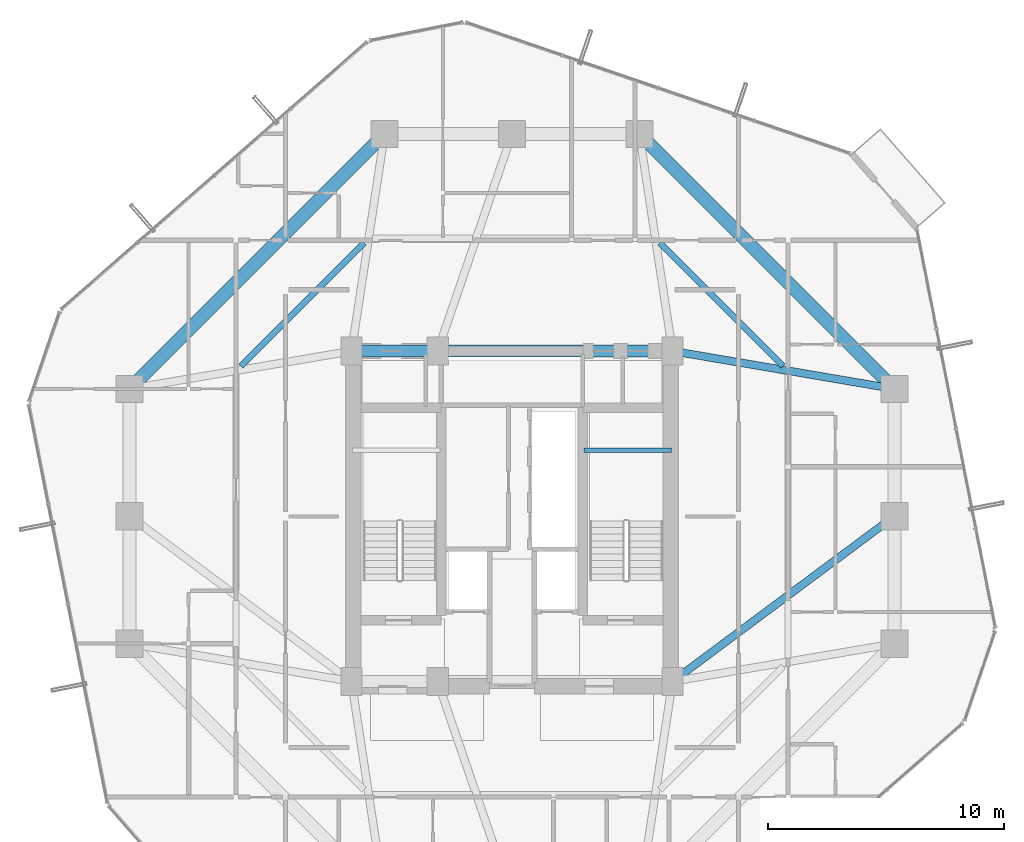
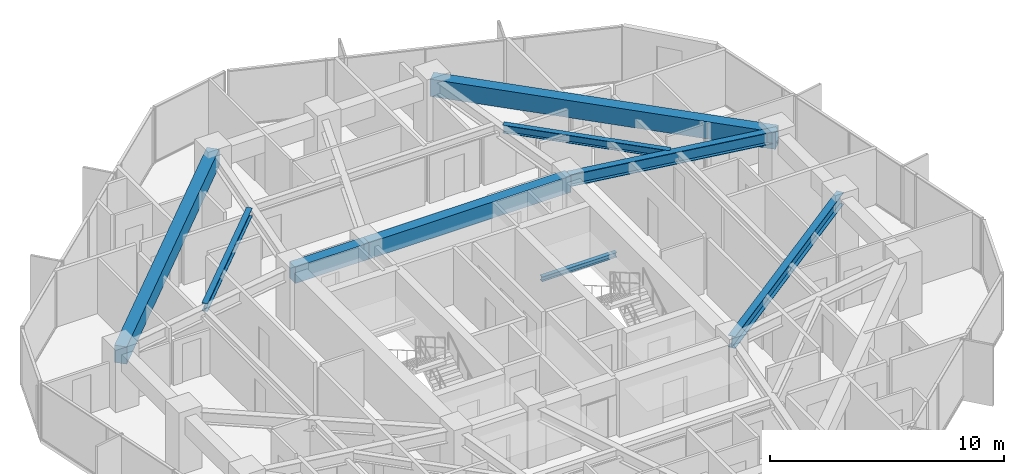
# One storey, part 14 of 36: 9 beams.
"""IFC4 building model written with IfcOpenShell, lengths in metres."""

from ifc_helpers import new_model, si_unit, direction, frame, origin, origin_2d, place, context, subcontext, project, spatial, rectangle, i_section, extrude, material, material_profile, profile_set, type_object, element, save


model = new_model("IFC4")

# Units and contexts
model_context = context("Model", 3, precision=1e-05, world=origin(), true_north=direction((0.0, 1.0)))
body_context = subcontext(model_context, "Body", "Model", "MODEL_VIEW")
ifc_project = project(units=[si_unit("LENGTHUNIT", "METRE"), si_unit("AREAUNIT", "SQUARE_METRE"), si_unit("VOLUMEUNIT", "CUBIC_METRE"), si_unit("PLANEANGLEUNIT", "RADIAN"), si_unit("MASSUNIT", "GRAM", prefix="KILO")], contexts=[model_context])

# Site, building, storey
site_placement = place(None, origin())
site = spatial("IfcSite", under=ifc_project, at=site_placement, CompositionType="ELEMENT")
building_placement = place(site_placement, origin())
building = spatial("IfcBuilding", under=site, at=building_placement, Name="Veraguas Prism Commons", CompositionType="ELEMENT")
storey_placement = place(building_placement, frame((0.0, 0.0, 166.300048828125)))
storey = spatial("IfcBuildingStorey", under=building, at=storey_placement, Name="L47", CompositionType="ELEMENT", Elevation=166.300048828125)

# Beams
ifc_material_1 = material(Name="Concrete C50/60", Category="concrete")
ifc_material_profile_1 = material_profile(ifc_material_1, rectangle(XDim=0.5, YDim=0.85009765625, at=origin_2d()), Name="RC500X850")
ifc_profile_set_1 = profile_set([ifc_material_profile_1], Name="Concrete C50/60")
beam_type_1 = type_object("IfcBeamType", Name="Core Coupling Beam RC 500x850", PredefinedType="BEAM", material=ifc_profile_set_1)
beam_1_placement = place(storey_placement, frame((17.199951171875, 31.0, 2.5048828125), z_axis=(1.0, 0.0, 0.0), x_axis=(0.0, 1.0, 0.0)))
element("IfcBeam", 1, at=beam_1_placement, inside=storey, type_object=beam_type_1, Name="Core Coupling Beam L47-CRN1", PredefinedType="BEAM", context=body_context, shape_type="SweptSolid", body=[
    extrude(rectangle(XDim=0.5, YDim=0.85009765625, at=origin_2d()), origin(), (0.0, 0.0, 1.0), 3.650146484375),
])
beam_2_placement = place(storey_placement, frame((20.85009765625, 31.0, 2.5048828125), z_axis=(1.0, 0.0, 0.0), x_axis=(0.0, 1.0, 0.0)))
element("IfcBeam", 2, at=beam_2_placement, inside=storey, type_object=beam_type_1, Name="Core Coupling Beam L47-CRN2", PredefinedType="BEAM", context=body_context, shape_type="SweptSolid", body=[
    extrude(rectangle(XDim=0.5, YDim=0.85009765625, at=origin_2d()), origin(), (0.0, 0.0, 1.0), 9.949951171875),
])
ifc_material_2 = material(Name="Steel ASTM A992 Grade 50", Category="steel")
ifc_material_profile_2 = material_profile(ifc_material_2, i_section(OverallWidth=0.260986328125, OverallDepth=0.419921875, WebThickness=0.01171875, FlangeThickness=0.019287109375, at=origin_2d()), Name="W410X114")
ifc_profile_set_2 = profile_set([ifc_material_profile_2], Name="Steel ASTM A992 Grade 50")
beam_type_2 = type_object("IfcBeamType", Name="Lower Floor Joist W410x114", PredefinedType="JOIST", material=ifc_profile_set_2)
for number, where, z_axis, x_axis, name in (
    (3, (35.489990234375, 30.365966796875, 2.719970703125), (-0.707090260193, 0.707123301794, 0.0), (-0.707123301794, -0.707090260193, 0.0), "Composite Floor Joist L47-JS03"),
    (4, (17.734619140625, 35.5908203125, 2.719970703125), (-0.707090260193, -0.707123301794, 0.0), (0.707123301794, -0.707090260193, 0.0), "Composite Floor Joist L47-JS06"),
):
    element("IfcBeam", number, at=place(storey_placement, frame(where, z_axis=z_axis, x_axis=x_axis)), inside=storey, type_object=beam_type_2, Name=name, PredefinedType="JOIST", context=body_context, shape_type="SweptSolid", body=[
        extrude(i_section(OverallWidth=0.260986328125, OverallDepth=0.419921875, WebThickness=0.01171875, FlangeThickness=0.019287109375, at=origin_2d()), origin(), (0.0, 0.0, 1.0), 7.388916015625),
    ])
ifc_material_profile_3 = material_profile(ifc_material_1, rectangle(XDim=0.550048828125, YDim=0.89990234375, at=origin_2d()), Name="RC550X900")
ifc_profile_set_3 = profile_set([ifc_material_profile_3], Name="Concrete C50/60")
beam_type_3 = type_object("IfcBeamType", Name="Perimeter Spandrel Lower RC 550x900", PredefinedType="SPANDREL", material=ifc_profile_set_3)
for number, where, z_axis, x_axis, name in (
    (5, (40.199951171875, 29.39990234375, 2.47998046875), (-0.707106781187, 0.707106781187, 0.0), (-0.707106781187, -0.707106781187, 0.0), "Perimeter Spandrel Beam L47-SP03"),
    (6, (18.60009765625, 40.199951171875, 2.47998046875), (-0.707106781187, -0.707106781187, 0.0), (0.707106781187, -0.707106781187, 0.0), "Perimeter Spandrel Beam L47-SP06"),
):
    element("IfcBeam", number, at=place(storey_placement, frame(where, z_axis=z_axis, x_axis=x_axis)), inside=storey, type_object=beam_type_3, Name=name, PredefinedType="SPANDREL", context=body_context, shape_type="SweptSolid", body=[
        extrude(rectangle(XDim=0.550048828125, YDim=0.89990234375, at=origin_2d()), origin(), (0.0, 0.0, 1.0), 15.273681640625),
    ])
ifc_material_profile_4 = material_profile(ifc_material_2, i_section(OverallWidth=0.202880859375, OverallDepth=0.251953125, WebThickness=0.008056640625, FlangeThickness=0.013427734375, at=origin_2d()), Name="W250X58")
ifc_profile_set_4 = profile_set([ifc_material_profile_4], Name="Steel ASTM A992 Grade 50")
beam_type_4 = type_object("IfcBeamType", Name="Structural Opening Lintel W250x58", PredefinedType="LINTEL", material=ifc_profile_set_4)
beam_3_placement = place(storey_placement, frame((27.050048828125, 26.800048828125, 1.299072265625), z_axis=(1.0, 0.0, 0.0), x_axis=(0.0, 1.0, 0.0)))
element("IfcBeam", 7, at=beam_3_placement, inside=storey, type_object=beam_type_4, Name="Stair ST-02 Half-Landing Support Beam L47-1", PredefinedType="LINTEL", context=body_context, shape_type="SweptSolid", body=[
    extrude(i_section(OverallWidth=0.202880859375, OverallDepth=0.251953125, WebThickness=0.008056640625, FlangeThickness=0.013427734375, at=origin_2d()), origin(), (0.0, 0.0, 1.0), 3.699951171875),
])
ifc_material_profile_5 = material_profile(ifc_material_2, i_section(OverallWidth=0.327880859375, OverallDepth=0.6220703125, WebThickness=0.015380859375, FlangeThickness=0.0244140625, at=origin_2d()), Name="W610X195")
ifc_profile_set_5 = profile_set([ifc_material_profile_5], Name="Steel ASTM A992 Grade 50")
beam_type_5 = type_object("IfcBeamType", Name="Zone 2 Radial Girder W610x195", PredefinedType="BEAM", material=ifc_profile_set_5)
beam_4_placement = place(storey_placement, frame((40.199951171875, 24.0, 2.618896484375), z_axis=(-0.802040137921, -0.597270137512, 0.0), x_axis=(0.597270137512, -0.802040137921, 0.0)))
element("IfcBeam", 8, at=beam_4_placement, inside=storey, type_object=beam_type_5, Name="Radial Floor Girder L47-RD02", PredefinedType="BEAM", context=body_context, shape_type="SweptSolid", body=[
    extrude(i_section(OverallWidth=0.327880859375, OverallDepth=0.6220703125, WebThickness=0.015380859375, FlangeThickness=0.0244140625, at=origin_2d()), origin(), (0.0, 0.0, 1.0), 11.719970703125),
])
beam_5_placement = place(storey_placement, frame((40.199951171875, 29.39990234375, 2.618896484375), z_axis=(-0.985819187151, 0.1678109956, 0.0), x_axis=(-0.1678109956, -0.985819187151, 0.0)))
element("IfcBeam", 9, at=beam_5_placement, inside=storey, type_object=beam_type_5, Name="Radial Floor Girder L47-RD03", PredefinedType="BEAM", context=body_context, shape_type="SweptSolid", body=[
    extrude(i_section(OverallWidth=0.327880859375, OverallDepth=0.6220703125, WebThickness=0.015380859375, FlangeThickness=0.0244140625, at=origin_2d()), origin(), (0.0, 0.0, 1.0), 9.53515625),
])

save(model, "model.ifc")
